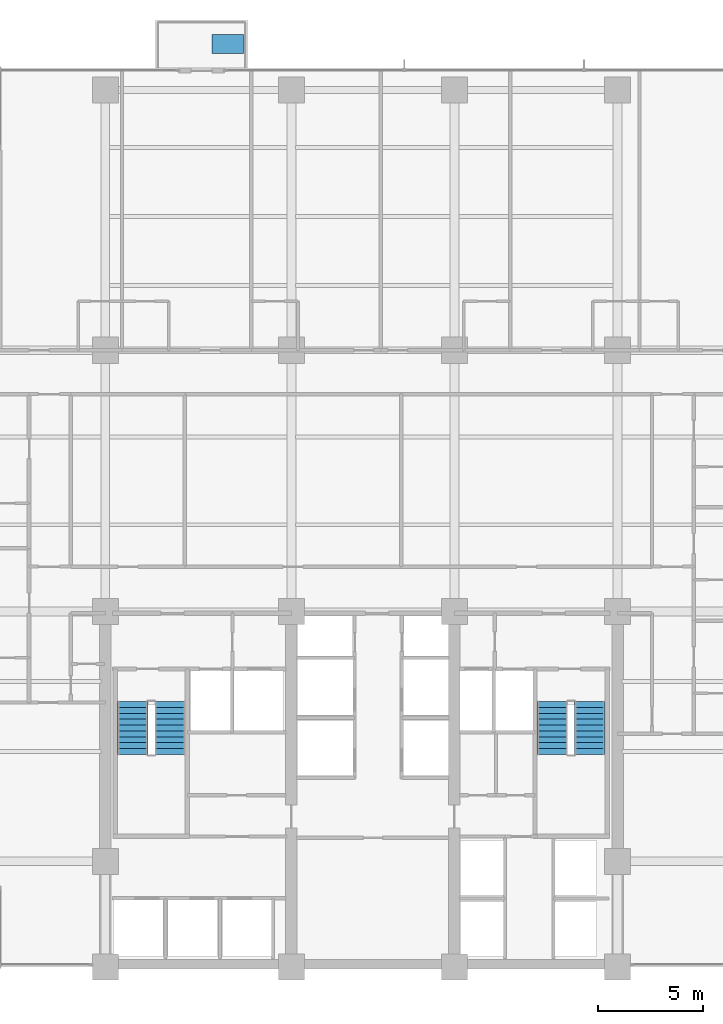
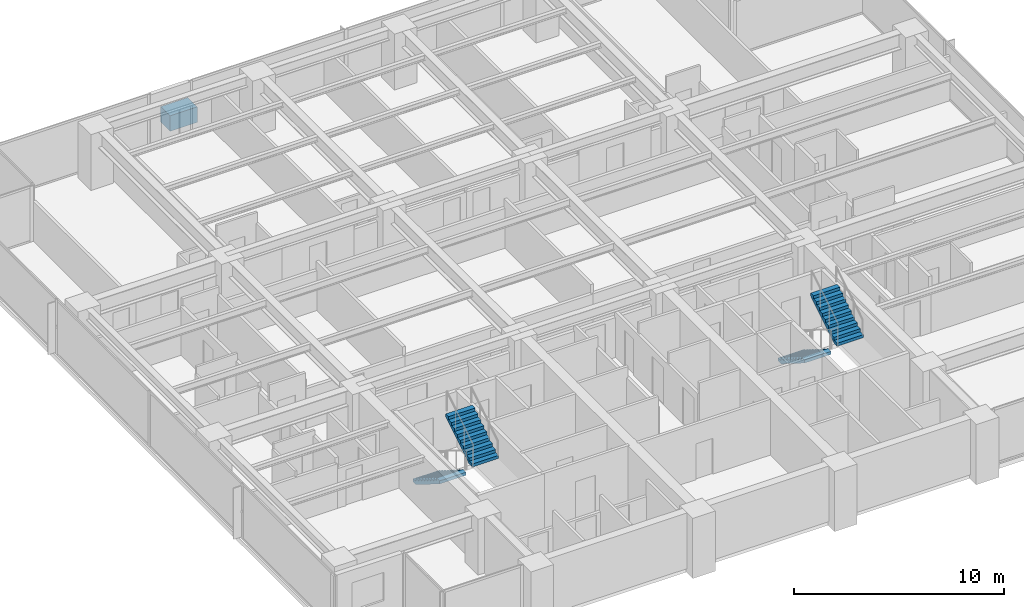
# One storey, part 12 of 17: 4 stair flights, 1 discrete accessory, 2 elements without a shape of their own.
"""IFC4 building model written with IfcOpenShell, lengths in metres."""

import ifcopenshell
import ifcopenshell.guid

model = None  # the IFC model being written
_history = None  # IfcOwnerHistory: only IFC2X3 demands one
_inside = {}  # id of a spatial element -> (the spatial element, [elements in it])
_under = {}  # id of a project, library or spatial element -> (it, [spatial elements below it])
_declared = {}  # id of a project -> (the project, [libraries it declares])
_typed = {}  # id of a type object -> (the type object, [elements of that type])
_made_of = {}  # id of a material, layer set ... -> (it, [elements and type objects made of it])


def new_model(schema):
    """Start an empty IFC model of exactly this schema.

    Asked for "IFC4X3", IfcOpenShell would pick the latest addendum, in which some entities
    have other attributes; the version numbers below select the first issue.
    IFC2X3 requires an IfcOwnerHistory on every rooted entity: one is made here for all.
    """
    global model, _history
    if schema == "IFC4X3":
        model = ifcopenshell.file(schema_version=(4, 3, 0, 0))
    else:
        model = ifcopenshell.file(schema=schema)
    _inside.clear()
    _under.clear()
    _declared.clear()
    _typed.clear()
    _made_of.clear()
    _history = None
    if model.schema == "IFC2X3":
        org = make("IfcOrganization", Name="unknown")
        user = make(
            "IfcPersonAndOrganization",
            ThePerson=make("IfcPerson", FamilyName="unknown"),
            TheOrganization=org,
        )
        app = make(
            "IfcApplication",
            ApplicationDeveloper=org,
            Version="unknown",
            ApplicationFullName="unknown",
            ApplicationIdentifier="unknown",
        )
        _history = make(
            "IfcOwnerHistory",
            OwningUser=user,
            OwningApplication=app,
            ChangeAction="ADDED",
            CreationDate=0,
        )
    return model


def make(cls, **values):
    """One entity of the class cls with the attributes given. An attribute that is None is left unset."""
    return model.create_entity(
        cls, **{name: value for name, value in values.items() if value is not None}
    )


def rooted(cls, **values):
    """An entity with a GlobalId (a new one), such as an element, a storey or a relation."""
    return make(cls, GlobalId=ifcopenshell.guid.new(), OwnerHistory=_history, **values)


def si_unit(unit_type, name, prefix=None):
    """IfcSIUnit, for example si_unit("LENGTHUNIT", "METRE", prefix="MILLI")."""
    return make("IfcSIUnit", UnitType=unit_type, Prefix=prefix, Name=name)


def assignment(units):
    """IfcUnitAssignment: the units of a project."""
    return None if units is None else make("IfcUnitAssignment", Units=units)


def point(xyz):
    """IfcCartesianPoint."""
    return None if xyz is None else make("IfcCartesianPoint", Coordinates=xyz)


def direction(xyz):
    """IfcDirection."""
    return None if xyz is None else make("IfcDirection", DirectionRatios=xyz)


def frame(location, z_axis=None, x_axis=None):
    """IfcAxis2Placement3D, a coordinate frame: its origin and axes. An axis left out is left unset."""
    return make(
        "IfcAxis2Placement3D",
        Location=point(location),
        Axis=direction(z_axis),
        RefDirection=direction(x_axis),
    )


def origin():
    """The frame at (0, 0, 0) with its axes left unset."""
    return frame((0.0, 0.0, 0.0))


def place(relative_to, where):
    """IfcLocalPlacement: puts the frame where relative to a parent placement (None: the world)."""
    return make(
        "IfcLocalPlacement", PlacementRelTo=relative_to, RelativePlacement=where
    )


def context(
    kind, dimensions, precision=None, world=None, true_north=None, identifier=None
):
    """IfcGeometricRepresentationContext, for example the 3D "Model" context."""
    return make(
        "IfcGeometricRepresentationContext",
        ContextIdentifier=identifier,
        ContextType=kind,
        CoordinateSpaceDimension=dimensions,
        Precision=precision,
        WorldCoordinateSystem=world,
        TrueNorth=true_north,
    )


def subcontext(parent, identifier, kind, view, scale=None):
    """IfcGeometricRepresentationSubContext, for example "Body" below "Model"."""
    return make(
        "IfcGeometricRepresentationSubContext",
        ContextIdentifier=identifier,
        ContextType=kind,
        ParentContext=parent,
        TargetScale=scale,
        TargetView=view,
    )


def project(units=None, contexts=None):
    """IfcProject with its units and contexts."""
    return rooted(
        "IfcProject",
        Name="project",
        RepresentationContexts=contexts,
        UnitsInContext=assignment(units),
    )


def spatial(cls, under=None, at=None, **own):
    """A site, building, storey or space (cls), placed at a placement, below another one or the project."""
    s = rooted(cls, ObjectPlacement=at, **own)
    if under is not None:
        _under.setdefault(under.id(), (under, []))[1].append(s)
    return s


def polyline(points):
    """IfcPolyline through the points."""
    return make("IfcPolyline", Points=[point(p) for p in points])


def outline(outer, holes=None, kind="AREA"):
    """IfcArbitraryClosedProfileDef: a profile drawn as a closed curve; with holes, ...WithVoids."""
    if holes is None:
        return make("IfcArbitraryClosedProfileDef", ProfileType=kind, OuterCurve=outer)
    return make(
        "IfcArbitraryProfileDefWithVoids",
        ProfileType=kind,
        OuterCurve=outer,
        InnerCurves=holes,
    )


def extrude(swept, where, along, depth):
    """IfcExtrudedAreaSolid: the profile swept, set in the frame where, extruded along a direction by depth."""
    return make(
        "IfcExtrudedAreaSolid",
        SweptArea=swept,
        Position=where,
        ExtrudedDirection=direction(along),
        Depth=depth,
    )


def shape(context_of_items, identifier, shape_type, items):
    """IfcShapeRepresentation: the items that make up one representation, for example the "Body"."""
    return make(
        "IfcShapeRepresentation",
        ContextOfItems=context_of_items,
        RepresentationIdentifier=identifier,
        RepresentationType=shape_type,
        Items=items,
    )


def material(Name=None, Category=None):
    """IfcMaterial."""
    return make("IfcMaterial", Name=Name, Category=Category)


def layer(
    of_material, thickness, ventilated=None, Name=None, Category=None, Priority=None
):
    """IfcMaterialLayer: one layer of a wall or slab, of a material (None: an air gap)."""
    return make(
        "IfcMaterialLayer",
        Material=of_material,
        LayerThickness=thickness,
        IsVentilated=ventilated,
        Name=Name,
        Category=Category,
        Priority=Priority,
    )


def layer_set(layers, Name=None):
    """IfcMaterialLayerSet."""
    return make("IfcMaterialLayerSet", MaterialLayers=layers, LayerSetName=Name)


def made_of(thing, what):
    """Note that an element or type object is made of a material, layer set ...; save() writes the relation."""
    if what is not None:
        _made_of.setdefault(what.id(), (what, []))[1].append(thing)
    return thing


def type_object(cls, material=None, **own):
    """A type object (cls), such as IfcWallType, which elements share."""
    return made_of(rooted(cls, **own), material)


def element(
    cls,
    number,
    at=None,
    inside=None,
    cuts=None,
    type_object=None,
    material=None,
    context=None,
    identifier="Body",
    shape_type=None,
    held_by="IfcProductDefinitionShape",
    body=None,
    shapes=None,
    **own,
):
    """One element of the class cls, such as IfcWall. Its Tag is "e" and its number.

    at: its placement. inside: the storey or other place that contains it. cuts: it is an
    opening in that element (IfcRelVoidsElement). A single representation is given by context,
    identifier, shape_type and body (its items); several are given by shapes. held_by: the class
    of the entity that holds the representations. save() writes the other relations.
    """
    e = rooted(cls, Tag="e%d" % number, ObjectPlacement=at, **own)
    if body is not None:
        shapes = [shape(context, identifier, shape_type, body)]
    if shapes is not None:
        e.Representation = make(held_by, Representations=shapes)
    if inside is not None:
        _inside.setdefault(inside.id(), (inside, []))[1].append(e)
    if cuts is not None:
        rooted(
            "IfcRelVoidsElement", RelatingBuildingElement=cuts, RelatedOpeningElement=e
        )
    if type_object is not None:
        _typed.setdefault(type_object.id(), (type_object, []))[1].append(e)
    return made_of(e, material)


def aggregate(whole, parts):
    """IfcRelAggregates: a whole, such as a stair, and the parts it consists of."""
    return rooted("IfcRelAggregates", RelatingObject=whole, RelatedObjects=parts)


def save(model, path):
    """Write the relations noted so far, then the file.

    IfcRelAggregates (storeys below a building ...), IfcRelContainedInSpatialStructure (elements
    in a storey), IfcRelDefinesByType, IfcRelAssociatesMaterial and IfcRelDeclares: one each for
    every whole, place, type object, material and project.
    """
    for whole, parts in _under.values():
        aggregate(whole, parts)
    for where, things in _inside.values():
        rooted(
            "IfcRelContainedInSpatialStructure",
            RelatedElements=things,
            RelatingStructure=where,
        )
    for kind, things in _typed.values():
        rooted("IfcRelDefinesByType", RelatedObjects=things, RelatingType=kind)
    for what, things in _made_of.values():
        rooted("IfcRelAssociatesMaterial", RelatedObjects=things, RelatingMaterial=what)
    for by, libraries in _declared.values():
        rooted("IfcRelDeclares", RelatingContext=by, RelatedDefinitions=libraries)
    model.write(path)


model = new_model("IFC4")

# Units and contexts
model_context = context("Model", 3, precision=1e-05, world=origin(), true_north=direction((0.0, 1.0)))
body_context = subcontext(model_context, "Body", "Model", "MODEL_VIEW")
ifc_project = project(units=[si_unit("LENGTHUNIT", "METRE"), si_unit("AREAUNIT", "SQUARE_METRE"), si_unit("VOLUMEUNIT", "CUBIC_METRE"), si_unit("PLANEANGLEUNIT", "RADIAN"), si_unit("MASSUNIT", "GRAM", prefix="KILO")], contexts=[model_context])

# Site, building, storey
site_placement = place(None, origin())
site = spatial("IfcSite", under=ifc_project, at=site_placement, CompositionType="ELEMENT")
building_placement = place(site_placement, origin())
building = spatial("IfcBuilding", under=site, at=building_placement, Name="Qalmaran Belvedere Hotel", CompositionType="ELEMENT")
storey_placement = place(building_placement, frame((0.0, 0.0, 105.699951171875)))
storey = spatial("IfcBuildingStorey", under=building, at=storey_placement, Name="L26", CompositionType="ELEMENT", Elevation=105.699951171875)

# Stair, stair flights
ifc_material = material(Name="Concrete C40/50", Category="concrete")
stair_type_1 = type_object("IfcStairType", Name="STR-ST-1-1450-R1750", PredefinedType="HALF_TURN_STAIR", material=ifc_material)
stair_1_placement = place(storey_placement, origin())
stair_1 = element("IfcStair", 1, at=stair_1_placement, inside=storey, type_object=stair_type_1, Name="L26 West Core Exit Stair ST-1", PredefinedType="HALF_TURN_STAIR")
ifc_layer_1 = layer(ifc_material, 0.14990234375, Name="Concrete C40/50")
ifc_layer_set_1 = layer_set([ifc_layer_1], Name="Concrete C40/50")
stair_flight_type_1 = type_object("IfcStairFlightType", Name="STF-ST-1-1450-R1750", PredefinedType="STRAIGHT", material=ifc_layer_set_1)
stair_flight_1_placement = place(storey_placement, frame((21.60498046875, 16.18994140625, 0.0), z_axis=(0.0, 0.0, 1.0), x_axis=(0.0, -1.0, 0.0)))
stair_flight_1 = element("IfcStairFlight", 2, at=stair_flight_1_placement, type_object=stair_flight_type_1, Name="ST-1 flight 1", NumberOfRisers=10, NumberOfTreads=9, PredefinedType="STRAIGHT", RiserHeight=0.175, TreadLength=0.28, context=body_context, shape_type="SweptSolid", body=[
    extrude(outline(polyline([(0.0, 0.0), (0.0, 0.175048828125), (0.280029296875, 0.175048828125), (0.280029296875, 0.35009765625), (0.56005859375, 0.35009765625), (0.56005859375, 0.52490234375), (0.840087890625, 0.52490234375), (0.840087890625, 0.699951171875), (1.1201171875, 0.699951171875), (1.1201171875, 0.875), (1.39990234375, 0.875), (1.39990234375, 1.050048828125), (1.679931640625, 1.050048828125), (1.679931640625, 1.22509765625), (1.9599609375, 1.22509765625), (1.9599609375, 1.39990234375), (2.239990234375, 1.39990234375), (2.239990234375, 1.574951171875), (2.52001953125, 1.574951171875), (2.52001953125, 1.75), (2.52001953125, 1.398193359375), (0.28271484375, 0.0), (0.0, 0.0)])), frame((0.0, 0.72509765625, 0.0), z_axis=(0.0, -1.0, 0.0), x_axis=(1.0, 0.0, 0.0)), (0.0, 0.0, 1.0), 1.449951171875),
])
stair_flight_2_placement = place(storey_placement, frame((23.39501953125, 13.669921875, 1.75), z_axis=(0.0, 0.0, 1.0), x_axis=(0.0, 1.0, 0.0)))
stair_flight_2 = element("IfcStairFlight", 3, at=stair_flight_2_placement, type_object=stair_flight_type_1, Name="ST-1 flight 2", NumberOfRisers=10, NumberOfTreads=9, PredefinedType="STRAIGHT", RiserHeight=0.175, TreadLength=0.28, context=body_context, shape_type="SweptSolid", body=[
    extrude(outline(polyline([(0.0, 0.0), (0.0, 0.175048828125), (0.280029296875, 0.175048828125), (0.280029296875, 0.35009765625), (0.56005859375, 0.35009765625), (0.56005859375, 0.52490234375), (0.840087890625, 0.52490234375), (0.840087890625, 0.699951171875), (1.1201171875, 0.699951171875), (1.1201171875, 0.875), (1.39990234375, 0.875), (1.39990234375, 1.050048828125), (1.679931640625, 1.050048828125), (1.679931640625, 1.22509765625), (1.9599609375, 1.22509765625), (1.9599609375, 1.39990234375), (2.239990234375, 1.39990234375), (2.239990234375, 1.574951171875), (2.52001953125, 1.574951171875), (2.52001953125, 1.75), (2.52001953125, 1.398193359375), (0.28271484375, 0.0), (0.0, 0.0)])), frame((0.0, 0.72509765625, 0.0), z_axis=(0.0, -1.0, 0.0), x_axis=(1.0, 0.0, 0.0)), (0.0, 0.0, 1.0), 1.449951171875),
])
aggregate(stair_1, [stair_flight_1, stair_flight_2])

stair_type_2 = type_object("IfcStairType", Name="STR-ST-2-1450-R1750", PredefinedType="HALF_TURN_STAIR", material=ifc_material)
stair_2_placement = place(storey_placement, origin())
stair_2 = element("IfcStair", 4, at=stair_2_placement, inside=storey, type_object=stair_type_2, Name="L26 East Core Exit Stair ST-2", PredefinedType="HALF_TURN_STAIR")
ifc_layer_2 = layer(ifc_material, 0.14990234375, Name="Concrete C40/50")
ifc_layer_set_2 = layer_set([ifc_layer_2], Name="Concrete C40/50")
stair_flight_type_2 = type_object("IfcStairFlightType", Name="STF-ST-2-1450-R1750", PredefinedType="STRAIGHT", material=ifc_layer_set_2)
stair_flight_3_placement = place(storey_placement, frame((41.68505859375, 16.18994140625, 0.0), z_axis=(0.0, 0.0, 1.0), x_axis=(0.0, -1.0, 0.0)))
stair_flight_3 = element("IfcStairFlight", 5, at=stair_flight_3_placement, type_object=stair_flight_type_2, Name="ST-2 flight 1", NumberOfRisers=10, NumberOfTreads=9, PredefinedType="STRAIGHT", RiserHeight=0.175, TreadLength=0.28, context=body_context, shape_type="SweptSolid", body=[
    extrude(outline(polyline([(0.0, 0.0), (0.0, 0.175048828125), (0.280029296875, 0.175048828125), (0.280029296875, 0.35009765625), (0.56005859375, 0.35009765625), (0.56005859375, 0.52490234375), (0.840087890625, 0.52490234375), (0.840087890625, 0.699951171875), (1.1201171875, 0.699951171875), (1.1201171875, 0.875), (1.39990234375, 0.875), (1.39990234375, 1.050048828125), (1.679931640625, 1.050048828125), (1.679931640625, 1.22509765625), (1.9599609375, 1.22509765625), (1.9599609375, 1.39990234375), (2.239990234375, 1.39990234375), (2.239990234375, 1.574951171875), (2.52001953125, 1.574951171875), (2.52001953125, 1.75), (2.52001953125, 1.398193359375), (0.28271484375, 0.0), (0.0, 0.0)])), frame((0.0, 0.72509765625, 0.0), z_axis=(0.0, -1.0, 0.0), x_axis=(1.0, 0.0, 0.0)), (0.0, 0.0, 1.0), 1.449951171875),
])
stair_flight_4_placement = place(storey_placement, frame((43.47509765625, 13.669921875, 1.75), z_axis=(0.0, 0.0, 1.0), x_axis=(0.0, 1.0, 0.0)))
stair_flight_4 = element("IfcStairFlight", 6, at=stair_flight_4_placement, type_object=stair_flight_type_2, Name="ST-2 flight 2", NumberOfRisers=10, NumberOfTreads=9, PredefinedType="STRAIGHT", RiserHeight=0.175, TreadLength=0.28, context=body_context, shape_type="SweptSolid", body=[
    extrude(outline(polyline([(0.0, 0.0), (0.0, 0.175048828125), (0.280029296875, 0.175048828125), (0.280029296875, 0.35009765625), (0.56005859375, 0.35009765625), (0.56005859375, 0.52490234375), (0.840087890625, 0.52490234375), (0.840087890625, 0.699951171875), (1.1201171875, 0.699951171875), (1.1201171875, 0.875), (1.39990234375, 0.875), (1.39990234375, 1.050048828125), (1.679931640625, 1.050048828125), (1.679931640625, 1.22509765625), (1.9599609375, 1.22509765625), (1.9599609375, 1.39990234375), (2.239990234375, 1.39990234375), (2.239990234375, 1.574951171875), (2.52001953125, 1.574951171875), (2.52001953125, 1.75), (2.52001953125, 1.398193359375), (0.28271484375, 0.0), (0.0, 0.0)])), frame((0.0, 0.72509765625, 0.0), z_axis=(0.0, -1.0, 0.0), x_axis=(1.0, 0.0, 0.0)), (0.0, 0.0, 1.0), 1.449951171875),
])
aggregate(stair_2, [stair_flight_3, stair_flight_4])

# Discrete accessory
discrete_accessory_type = type_object("IfcDiscreteAccessoryType", Name="PLN-BAL-1500", PredefinedType="USERDEFINED", material=ifc_material)
discrete_accessory_placement = place(storey_placement, origin())
element("IfcDiscreteAccessory", 7, at=discrete_accessory_placement, inside=storey, type_object=discrete_accessory_type, Name="L26 Sky Tree Planter", ObjectType="PLANTER", PredefinedType="USERDEFINED", context=body_context, shape_type="SweptSolid", body=[
    extrude(outline(polyline([(25.39990234375, 47.199951171875), (26.89990234375, 47.199951171875), (26.89990234375, 48.10009765625), (25.39990234375, 48.10009765625), (25.39990234375, 47.199951171875)])), origin(), (0.0, 0.0, 1.0), 0.900146484375),
])

save(model, "model.ifc")
